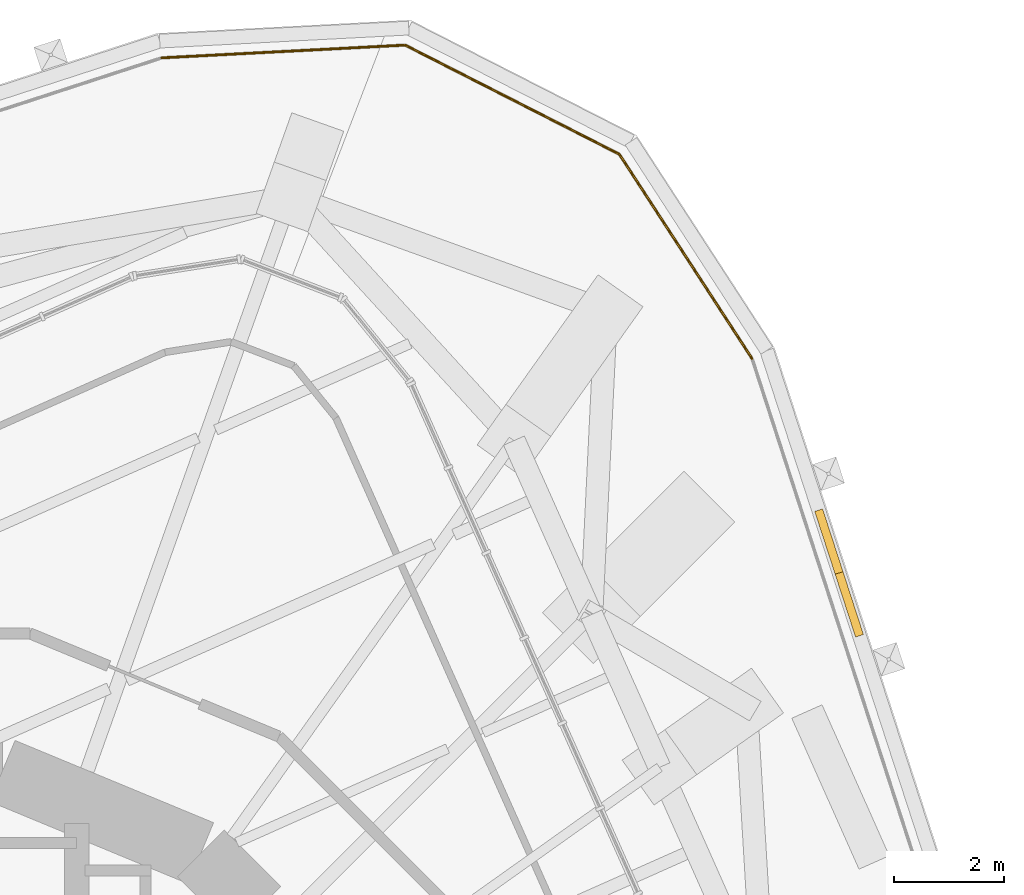
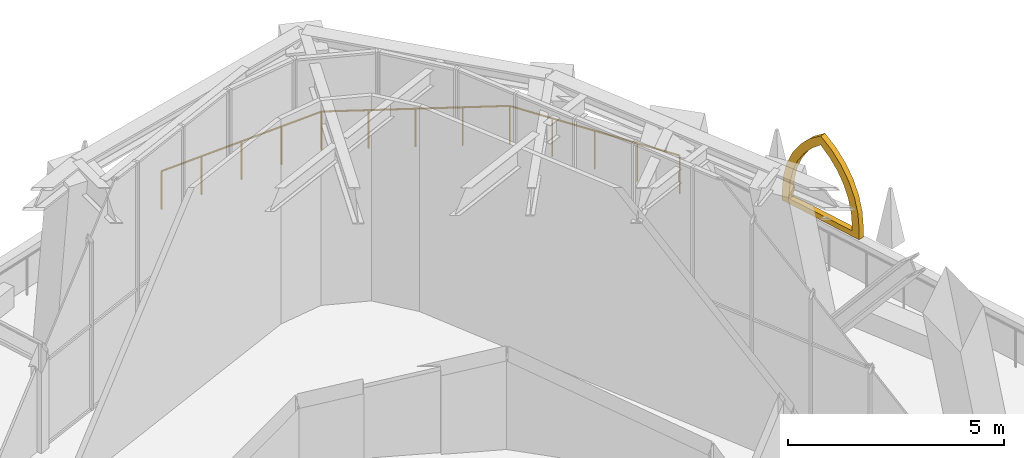
# One storey, part 17 of 18: 3 railings, 1 shading device.
"""IFC4 building model written with IfcOpenShell, lengths in metres."""

import ifcopenshell
import ifcopenshell.guid

model = None  # the IFC model being written
_history = None  # IfcOwnerHistory: only IFC2X3 demands one
_inside = {}  # id of a spatial element -> (the spatial element, [elements in it])
_under = {}  # id of a project, library or spatial element -> (it, [spatial elements below it])
_declared = {}  # id of a project -> (the project, [libraries it declares])
_typed = {}  # id of a type object -> (the type object, [elements of that type])
_made_of = {}  # id of a material, layer set ... -> (it, [elements and type objects made of it])


def new_model(schema):
    """Start an empty IFC model of exactly this schema.

    Asked for "IFC4X3", IfcOpenShell would pick the latest addendum, in which some entities
    have other attributes; the version numbers below select the first issue.
    IFC2X3 requires an IfcOwnerHistory on every rooted entity: one is made here for all.
    """
    global model, _history
    if schema == "IFC4X3":
        model = ifcopenshell.file(schema_version=(4, 3, 0, 0))
    else:
        model = ifcopenshell.file(schema=schema)
    _inside.clear()
    _under.clear()
    _declared.clear()
    _typed.clear()
    _made_of.clear()
    _history = None
    if model.schema == "IFC2X3":
        org = make("IfcOrganization", Name="unknown")
        user = make(
            "IfcPersonAndOrganization",
            ThePerson=make("IfcPerson", FamilyName="unknown"),
            TheOrganization=org,
        )
        app = make(
            "IfcApplication",
            ApplicationDeveloper=org,
            Version="unknown",
            ApplicationFullName="unknown",
            ApplicationIdentifier="unknown",
        )
        _history = make(
            "IfcOwnerHistory",
            OwningUser=user,
            OwningApplication=app,
            ChangeAction="ADDED",
            CreationDate=0,
        )
    return model


def make(cls, **values):
    """One entity of the class cls with the attributes given. An attribute that is None is left unset."""
    return model.create_entity(
        cls, **{name: value for name, value in values.items() if value is not None}
    )


def rooted(cls, **values):
    """An entity with a GlobalId (a new one), such as an element, a storey or a relation."""
    return make(cls, GlobalId=ifcopenshell.guid.new(), OwnerHistory=_history, **values)


def si_unit(unit_type, name, prefix=None):
    """IfcSIUnit, for example si_unit("LENGTHUNIT", "METRE", prefix="MILLI")."""
    return make("IfcSIUnit", UnitType=unit_type, Prefix=prefix, Name=name)


def assignment(units):
    """IfcUnitAssignment: the units of a project."""
    return None if units is None else make("IfcUnitAssignment", Units=units)


def point(xyz):
    """IfcCartesianPoint."""
    return None if xyz is None else make("IfcCartesianPoint", Coordinates=xyz)


def direction(xyz):
    """IfcDirection."""
    return None if xyz is None else make("IfcDirection", DirectionRatios=xyz)


def frame(location, z_axis=None, x_axis=None):
    """IfcAxis2Placement3D, a coordinate frame: its origin and axes. An axis left out is left unset."""
    return make(
        "IfcAxis2Placement3D",
        Location=point(location),
        Axis=direction(z_axis),
        RefDirection=direction(x_axis),
    )


def frame_2d(location, x_axis=None):
    """IfcAxis2Placement2D, a coordinate frame in the plane: its origin and x axis."""
    return make(
        "IfcAxis2Placement2D", Location=point(location), RefDirection=direction(x_axis)
    )


def origin():
    """The frame at (0, 0, 0) with its axes left unset."""
    return frame((0.0, 0.0, 0.0))


def origin_2d():
    """The frame at (0, 0) in the plane with its x axis left unset."""
    return frame_2d((0.0, 0.0))


def place(relative_to, where):
    """IfcLocalPlacement: puts the frame where relative to a parent placement (None: the world)."""
    return make(
        "IfcLocalPlacement", PlacementRelTo=relative_to, RelativePlacement=where
    )


def context(
    kind, dimensions, precision=None, world=None, true_north=None, identifier=None
):
    """IfcGeometricRepresentationContext, for example the 3D "Model" context."""
    return make(
        "IfcGeometricRepresentationContext",
        ContextIdentifier=identifier,
        ContextType=kind,
        CoordinateSpaceDimension=dimensions,
        Precision=precision,
        WorldCoordinateSystem=world,
        TrueNorth=true_north,
    )


def subcontext(parent, identifier, kind, view, scale=None):
    """IfcGeometricRepresentationSubContext, for example "Body" below "Model"."""
    return make(
        "IfcGeometricRepresentationSubContext",
        ContextIdentifier=identifier,
        ContextType=kind,
        ParentContext=parent,
        TargetScale=scale,
        TargetView=view,
    )


def project(units=None, contexts=None):
    """IfcProject with its units and contexts."""
    return rooted(
        "IfcProject",
        Name="project",
        RepresentationContexts=contexts,
        UnitsInContext=assignment(units),
    )


def spatial(cls, under=None, at=None, **own):
    """A site, building, storey or space (cls), placed at a placement, below another one or the project."""
    s = rooted(cls, ObjectPlacement=at, **own)
    if under is not None:
        _under.setdefault(under.id(), (under, []))[1].append(s)
    return s


def polyline(points):
    """IfcPolyline through the points."""
    return make("IfcPolyline", Points=[point(p) for p in points])


def profile(cls, at=None, kind="AREA", **sizes):
    """A parametric profile (cls). Its sizes go by their IFC names, for example OverallWidth=200.0."""
    return make(cls, ProfileType=kind, Position=at, **sizes)


def circle(**sizes):
    """IfcCircleProfileDef."""
    return profile("IfcCircleProfileDef", **sizes)


def outline(outer, holes=None, kind="AREA"):
    """IfcArbitraryClosedProfileDef: a profile drawn as a closed curve; with holes, ...WithVoids."""
    if holes is None:
        return make("IfcArbitraryClosedProfileDef", ProfileType=kind, OuterCurve=outer)
    return make(
        "IfcArbitraryProfileDefWithVoids",
        ProfileType=kind,
        OuterCurve=outer,
        InnerCurves=holes,
    )


def extrude(swept, where, along, depth):
    """IfcExtrudedAreaSolid: the profile swept, set in the frame where, extruded along a direction by depth."""
    return make(
        "IfcExtrudedAreaSolid",
        SweptArea=swept,
        Position=where,
        ExtrudedDirection=direction(along),
        Depth=depth,
    )


def shape(context_of_items, identifier, shape_type, items):
    """IfcShapeRepresentation: the items that make up one representation, for example the "Body"."""
    return make(
        "IfcShapeRepresentation",
        ContextOfItems=context_of_items,
        RepresentationIdentifier=identifier,
        RepresentationType=shape_type,
        Items=items,
    )


def material(Name=None, Category=None):
    """IfcMaterial."""
    return make("IfcMaterial", Name=Name, Category=Category)


def made_of(thing, what):
    """Note that an element or type object is made of a material, layer set ...; save() writes the relation."""
    if what is not None:
        _made_of.setdefault(what.id(), (what, []))[1].append(thing)
    return thing


def type_object(cls, material=None, **own):
    """A type object (cls), such as IfcWallType, which elements share."""
    return made_of(rooted(cls, **own), material)


def element(
    cls,
    number,
    at=None,
    inside=None,
    cuts=None,
    type_object=None,
    material=None,
    context=None,
    identifier="Body",
    shape_type=None,
    held_by="IfcProductDefinitionShape",
    body=None,
    shapes=None,
    **own,
):
    """One element of the class cls, such as IfcWall. Its Tag is "e" and its number.

    at: its placement. inside: the storey or other place that contains it. cuts: it is an
    opening in that element (IfcRelVoidsElement). A single representation is given by context,
    identifier, shape_type and body (its items); several are given by shapes. held_by: the class
    of the entity that holds the representations. save() writes the other relations.
    """
    e = rooted(cls, Tag="e%d" % number, ObjectPlacement=at, **own)
    if body is not None:
        shapes = [shape(context, identifier, shape_type, body)]
    if shapes is not None:
        e.Representation = make(held_by, Representations=shapes)
    if inside is not None:
        _inside.setdefault(inside.id(), (inside, []))[1].append(e)
    if cuts is not None:
        rooted(
            "IfcRelVoidsElement", RelatingBuildingElement=cuts, RelatedOpeningElement=e
        )
    if type_object is not None:
        _typed.setdefault(type_object.id(), (type_object, []))[1].append(e)
    return made_of(e, material)


def aggregate(whole, parts):
    """IfcRelAggregates: a whole, such as a stair, and the parts it consists of."""
    return rooted("IfcRelAggregates", RelatingObject=whole, RelatedObjects=parts)


def save(model, path):
    """Write the relations noted so far, then the file.

    IfcRelAggregates (storeys below a building ...), IfcRelContainedInSpatialStructure (elements
    in a storey), IfcRelDefinesByType, IfcRelAssociatesMaterial and IfcRelDeclares: one each for
    every whole, place, type object, material and project.
    """
    for whole, parts in _under.values():
        aggregate(whole, parts)
    for where, things in _inside.values():
        rooted(
            "IfcRelContainedInSpatialStructure",
            RelatedElements=things,
            RelatingStructure=where,
        )
    for kind, things in _typed.values():
        rooted("IfcRelDefinesByType", RelatedObjects=things, RelatingType=kind)
    for what, things in _made_of.values():
        rooted("IfcRelAssociatesMaterial", RelatedObjects=things, RelatingMaterial=what)
    for by, libraries in _declared.values():
        rooted("IfcRelDeclares", RelatingContext=by, RelatedDefinitions=libraries)
    model.write(path)


model = new_model("IFC4")

# Units and contexts
model_context = context("Model", 3, precision=1e-05, world=origin(), true_north=direction((0.0, 1.0)))
body_context = subcontext(model_context, "Body", "Model", "MODEL_VIEW")
ifc_project = project(units=[si_unit("LENGTHUNIT", "METRE"), si_unit("AREAUNIT", "SQUARE_METRE"), si_unit("VOLUMEUNIT", "CUBIC_METRE"), si_unit("PLANEANGLEUNIT", "RADIAN"), si_unit("MASSUNIT", "GRAM", prefix="KILO")], contexts=[model_context])

# Site, building, storey
site_placement = place(None, origin())
site = spatial("IfcSite", under=ifc_project, at=site_placement, CompositionType="ELEMENT")
building_placement = place(site_placement, origin())
building = spatial("IfcBuilding", under=site, at=building_placement, Name="Nakasero Lantern House", CompositionType="ELEMENT")
storey_placement = place(building_placement, frame((0.0, 0.0, 176.449951171875)))
storey = spatial("IfcBuildingStorey", under=building, at=storey_placement, Name="L43", CompositionType="ELEMENT", Elevation=176.449951171875)

# Shading device
ifc_material_1 = material(Name="Aluminium 6063-T6", Category="aluminium")
shading_device_type = type_object("IfcShadingDeviceType", Name="Lancet screen 2400", PredefinedType="USERDEFINED", material=ifc_material_1)
shading_device_placement = place(storey_placement, frame((17.14697265625, 13.405029296875, 1.10009765625), z_axis=(0.0, 0.0, 1.0), x_axis=(-0.309016994, 0.951056516, 0.0)))
element("IfcShadingDevice", 1, at=shading_device_placement, inside=storey, type_object=shading_device_type, Name="Tracery screen L43 0-01", ObjectType="LANCET SCREEN", PredefinedType="USERDEFINED", context=body_context, shape_type="SweptSolid", body=[
    extrude(outline(polyline([(-1.199951171875, 0.0), (1.199951171875, 0.0), (1.199951171875, 0.300048828125), (1.16357421875, 0.716796875), (1.05517578125, 1.120849609375), (0.87841796875, 1.5), (0.638427734375, 1.8427734375), (0.3427734375, 2.138427734375), (0.0, 2.37841796875), (-0.3427734375, 2.138427734375), (-0.638427734375, 1.8427734375), (-0.87841796875, 1.5), (-1.05517578125, 1.120849609375), (-1.16357421875, 0.716796875), (-1.199951171875, 0.300048828125), (-1.199951171875, 0.0)]), holes=[polyline([(-0.97998046875, 0.14990234375), (0.97998046875, 0.14990234375), (0.97998046875, 0.300048828125), (0.950439453125, 0.6572265625), (0.86279296875, 1.0048828125), (0.719482421875, 1.33349609375), (0.524169921875, 1.63427734375), (0.281982421875, 1.898681640625), (0.0, 2.1201171875), (-0.281982421875, 1.898681640625), (-0.524169921875, 1.63427734375), (-0.719482421875, 1.33349609375), (-0.86279296875, 1.0048828125), (-0.950439453125, 0.6572265625), (-0.97998046875, 0.300048828125), (-0.97998046875, 0.14990234375)])]), frame((0.0, 0.074951171875, 0.0), z_axis=(0.0, -1.0, 0.0), x_axis=(1.0, 0.0, 0.0)), (0.0, 0.0, 1.0), 0.14990234375),
])

# Railings
ifc_material_2 = material(Name="Aluminium 6063-T6", Category="aluminium")
railing_type = type_object("IfcRailingType", Name="Sky garden guard 1100", PredefinedType="GUARDRAIL", material=ifc_material_2)
railing_1_placement = place(storey_placement, frame((4.84423828125, 22.760986328125, 0.0)))
element("IfcRailing", 2, at=railing_1_placement, inside=storey, type_object=railing_type, Name="Sky garden guard L43 9", PredefinedType="GUARDRAIL", context=body_context, shape_type="SweptSolid", body=[
    extrude(circle(Radius=0.02392578125, at=origin_2d()), frame((0.0, 0.0, 1.076171875), z_axis=(0.998629685991, 0.052333070407, 0.0), x_axis=(-0.052333070407, 0.998629685991, 0.0)), (0.0, 0.0, 1.0), 4.42724609375),
    extrude(circle(Radius=0.02099609375, at=origin_2d()), origin(), (0.0, 0.0, 1.0), 1.052001953125),
    extrude(circle(Radius=0.02099609375, at=origin_2d()), frame((1.105224609375, 0.057861328125, 0.0)), (0.0, 0.0, 1.0), 1.052001953125),
    extrude(circle(Radius=0.02099609375, at=origin_2d()), frame((2.21044921875, 0.11572265625, 0.0)), (0.0, 0.0, 1.0), 1.052001953125),
    extrude(circle(Radius=0.02099609375, at=origin_2d()), frame((3.31591796875, 0.173828125, 0.0)), (0.0, 0.0, 1.0), 1.052001953125),
    extrude(circle(Radius=0.02099609375, at=origin_2d()), frame((4.421142578125, 0.231689453125, 0.0)), (0.0, 0.0, 1.0), 1.052001953125),
])
railing_2_placement = place(storey_placement, frame((9.265380859375, 22.99267578125, 0.0)))
element("IfcRailing", 3, at=railing_2_placement, inside=storey, type_object=railing_type, Name="Sky garden guard L43 10", PredefinedType="GUARDRAIL", context=body_context, shape_type="SweptSolid", body=[
    extrude(circle(Radius=0.02392578125, at=origin_2d()), frame((0.0, 0.0, 1.076171875), z_axis=(0.891012608889, -0.453978557645, 0.0), x_axis=(0.453978557645, 0.891012608889, 0.0)), (0.0, 0.0, 1.0), 4.36572265625),
    extrude(circle(Radius=0.02099609375, at=origin_2d()), origin(), (0.0, 0.0, 1.0), 1.052001953125),
    extrude(circle(Radius=0.02099609375, at=origin_2d()), frame((0.972412109375, -0.49560546875, 0.0)), (0.0, 0.0, 1.0), 1.052001953125),
    extrude(circle(Radius=0.02099609375, at=origin_2d()), frame((1.94482421875, -0.990966796875, 0.0)), (0.0, 0.0, 1.0), 1.052001953125),
    extrude(circle(Radius=0.02099609375, at=origin_2d()), frame((2.91748046875, -1.486328125, 0.0)), (0.0, 0.0, 1.0), 1.052001953125),
    extrude(circle(Radius=0.02099609375, at=origin_2d()), frame((3.889892578125, -1.98193359375, 0.0)), (0.0, 0.0, 1.0), 1.052001953125),
])
railing_3_placement = place(storey_placement, frame((13.1552734375, 21.0107421875, 0.0)))
element("IfcRailing", 4, at=railing_3_placement, inside=storey, type_object=railing_type, Name="Sky garden guard L43 11", PredefinedType="GUARDRAIL", context=body_context, shape_type="SweptSolid", body=[
    extrude(circle(Radius=0.02392578125, at=origin_2d()), frame((0.0, 0.0, 1.076171875), z_axis=(0.544645237415, -0.838666540027, 0.0), x_axis=(0.838666540027, 0.544645237415, 0.0)), (0.0, 0.0, 1.0), 4.427490234375),
    extrude(circle(Radius=0.02099609375, at=origin_2d()), origin(), (0.0, 0.0, 1.0), 1.052001953125),
    extrude(circle(Radius=0.02099609375, at=origin_2d()), frame((0.602783203125, -0.92822265625, 0.0)), (0.0, 0.0, 1.0), 1.052001953125),
    extrude(circle(Radius=0.02099609375, at=origin_2d()), frame((1.20556640625, -1.8564453125, 0.0)), (0.0, 0.0, 1.0), 1.052001953125),
    extrude(circle(Radius=0.02099609375, at=origin_2d()), frame((1.80859375, -2.784912109375, 0.0)), (0.0, 0.0, 1.0), 1.052001953125),
    extrude(circle(Radius=0.02099609375, at=origin_2d()), frame((2.411376953125, -3.713134765625, 0.0)), (0.0, 0.0, 1.0), 1.052001953125),
])

save(model, "model.ifc")
